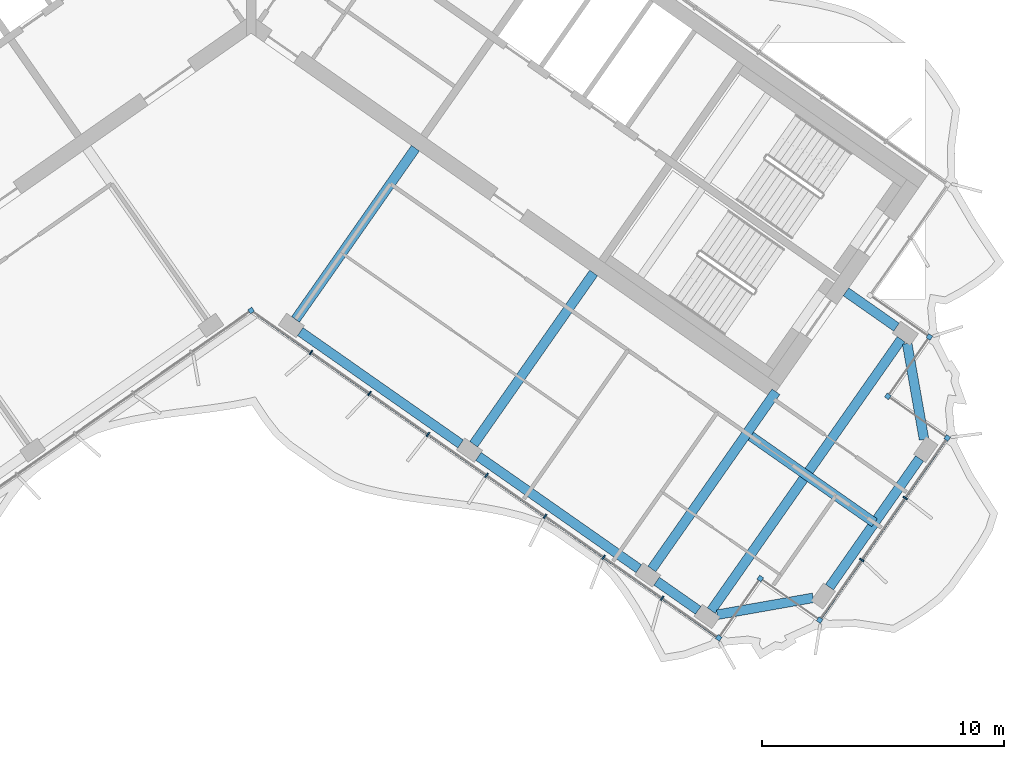
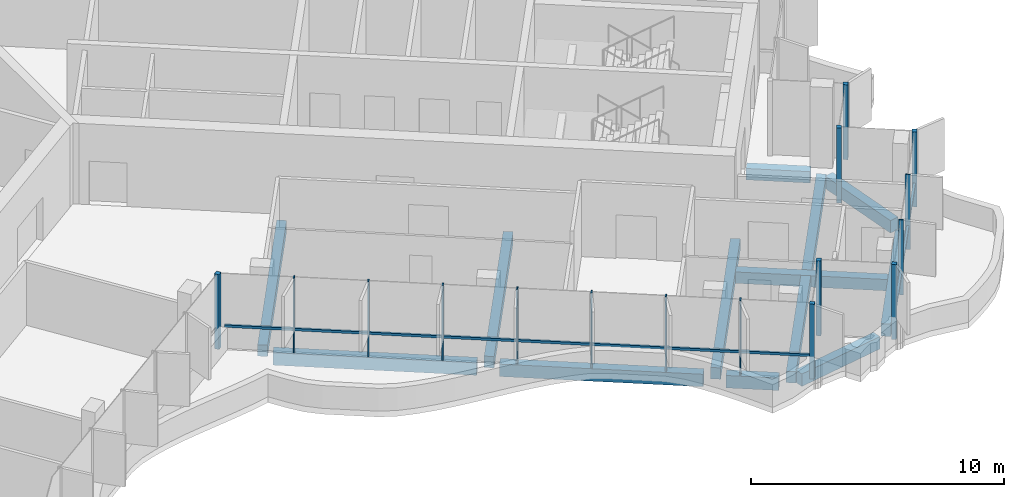
# One storey, part 4 of 17: 18 members, 12 beams, 1 element without a shape of its own.
"""IFC4 building model written with IfcOpenShell, lengths in metres."""

from ifc_helpers import new_model, si_unit, direction, frame, origin, origin_2d, place, context, subcontext, project, spatial, rectangle, extrude, material, material_profile, profile_set, type_object, element, aggregate, save


model = new_model("IFC4")

# Units and contexts
model_context = context("Model", 3, precision=1e-05, world=origin(), true_north=direction((0.0, 1.0)))
body_context = subcontext(model_context, "Body", "Model", "MODEL_VIEW")
ifc_project = project(units=[si_unit("LENGTHUNIT", "METRE"), si_unit("AREAUNIT", "SQUARE_METRE"), si_unit("VOLUMEUNIT", "CUBIC_METRE"), si_unit("PLANEANGLEUNIT", "RADIAN"), si_unit("MASSUNIT", "GRAM", prefix="KILO")], contexts=[model_context])

# Site, building, storey
site_placement = place(None, origin())
site = spatial("IfcSite", under=ifc_project, at=site_placement, CompositionType="ELEMENT")
building_placement = place(site_placement, origin())
building = spatial("IfcBuilding", under=site, at=building_placement, Name="Tel Ilan Convention Tower", CompositionType="ELEMENT")
storey_placement = place(building_placement, frame((0.0, 0.0, 291.699951171875)))
storey = spatial("IfcBuildingStorey", under=building, at=storey_placement, Name="L69", CompositionType="ELEMENT", Elevation=291.699951171875)

# Beams
ifc_material_1 = material(Name="Concrete C40/50", Category="concrete")
ifc_material_profile_1 = material_profile(ifc_material_1, rectangle(XDim=0.39990234375, YDim=0.550048828125, at=origin_2d()), Name="RC 400x550")
ifc_profile_set_1 = profile_set([ifc_material_profile_1], Name="Concrete C40/50")
beam_type_1 = type_object("IfcBeamType", Name="Beam RC 400x550 Concrete C40/50", PredefinedType="BEAM", material=ifc_profile_set_1)
beam_1_placement = place(storey_placement, frame((26.700927734375, -13.385986328125, -0.554931640625), z_axis=(-0.819119449707, 0.573622983424, 0.0), x_axis=(-0.573622983424, -0.819119449707, 0.0)))
element("IfcBeam", 1, at=beam_1_placement, inside=storey, type_object=beam_type_1, Name="L69 beam E-E-BC-core", PredefinedType="BEAM", context=body_context, shape_type="SweptSolid", body=[
    extrude(rectangle(XDim=0.39990234375, YDim=0.550048828125, at=origin_2d()), origin(), (0.0, 0.0, 1.0), 2.5498046875),
])
for number, where, z_axis, x_axis, name in (
    (2, (1.83740234375, -13.06689453125, -0.554931640625), (0.573574099654, 0.819153680457, 0.0), (-0.819153680457, 0.573574099654, 0.0), "L69 beam E-E-F1-core"),
    (3, (9.209716796875, -18.229248046875, -0.554931640625), (0.573574099654, 0.819153680457, 0.0), (-0.819153680457, 0.573574099654, 0.0), "L69 beam E-E-F2-core"),
):
    element("IfcBeam", number, at=place(storey_placement, frame(where, z_axis=z_axis, x_axis=x_axis)), inside=storey, type_object=beam_type_1, Name=name, PredefinedType="BEAM", context=body_context, shape_type="SweptSolid", body=[
        extrude(rectangle(XDim=0.39990234375, YDim=0.550048828125, at=origin_2d()), origin(), (0.0, 0.0, 1.0), 8.64990234375),
    ])
beam_2_placement = place(storey_placement, frame((16.58203125, -23.391357421875, -0.554931640625), z_axis=(0.573584999642, 0.819146048141, 0.0), x_axis=(-0.819146048141, 0.573584999642, 0.0)))
element("IfcBeam", 4, at=beam_2_placement, inside=storey, type_object=beam_type_1, Name="L69 beam E-E-F3-core", PredefinedType="BEAM", context=body_context, shape_type="SweptSolid", body=[
    extrude(rectangle(XDim=0.39990234375, YDim=0.550048828125, at=origin_2d()), origin(), (0.0, 0.0, 1.0), 8.949951171875),
])
beam_3_placement = place(storey_placement, frame((20.6748046875, -17.89501953125, -0.554931640625), z_axis=(0.819171356584, -0.573548854548, 0.0), x_axis=(0.573548854548, 0.819171356584, 0.0)))
element("IfcBeam", 5, at=beam_3_placement, inside=storey, type_object=beam_type_1, Name="L69 beam E-core-end", PredefinedType="BEAM", context=body_context, shape_type="SweptSolid", body=[
    extrude(rectangle(XDim=0.39990234375, YDim=0.550048828125, at=origin_2d()), origin(), (0.0, 0.0, 1.0), 6.25),
])
beam_4_placement = place(storey_placement, frame((19.03955078125, -25.112060546875, -0.554931640625), z_axis=(0.57357117602, 0.819155727587, 0.0), x_axis=(-0.819155727587, 0.57357117602, 0.0)))
element("IfcBeam", 6, at=beam_4_placement, inside=storey, type_object=beam_type_1, Name="L69 beam E-E-FC-E-BC", PredefinedType="BEAM", context=body_context, shape_type="SweptSolid", body=[
    extrude(rectangle(XDim=0.39990234375, YDim=0.550048828125, at=origin_2d()), origin(), (0.0, 0.0, 1.0), 13.699951171875),
])
ifc_material_2 = material(Name="Concrete C40/50", Category="concrete")
ifc_material_profile_2 = material_profile(ifc_material_2, rectangle(XDim=0.39990234375, YDim=0.60009765625, at=origin_2d()), Name="RC 400x600")
ifc_profile_set_2 = profile_set([ifc_material_profile_2], Name="Concrete C40/50")
beam_type_2 = type_object("IfcBeamType", Name="Beam RC 400x600 Concrete C40/50", PredefinedType="BEAM", material=ifc_profile_set_2)
beam_5_placement = place(storey_placement, frame((2.033935546875, -13.57080078125, -0.579833984375), z_axis=(0.81914553362, -0.573585734437, 0.0), x_axis=(0.573585734437, 0.81914553362, 0.0)))
element("IfcBeam", 7, at=beam_5_placement, inside=storey, type_object=beam_type_2, Name="L69 beam E-E-F1-E-F2", PredefinedType="BEAM", context=body_context, shape_type="SweptSolid", body=[
    extrude(rectangle(XDim=0.39990234375, YDim=0.60009765625, at=origin_2d()), origin(), (0.0, 0.0, 1.0), 8.099853515625),
])
beam_6_placement = place(storey_placement, frame((9.40625, -18.73291015625, -0.579833984375), z_axis=(0.819155449703, -0.573571572885, 0.0), x_axis=(0.573571572885, 0.819155449703, 0.0)))
element("IfcBeam", 8, at=beam_6_placement, inside=storey, type_object=beam_type_2, Name="L69 beam E-E-F2-E-F3", PredefinedType="BEAM", context=body_context, shape_type="SweptSolid", body=[
    extrude(rectangle(XDim=0.39990234375, YDim=0.60009765625, at=origin_2d()), origin(), (0.0, 0.0, 1.0), 8.10009765625),
])
beam_7_placement = place(storey_placement, frame((16.778564453125, -23.895263671875, -0.579833984375), z_axis=(0.819188222026, -0.573524765719, 0.0), x_axis=(0.573524765719, 0.819188222026, 0.0)))
element("IfcBeam", 9, at=beam_7_placement, inside=storey, type_object=beam_type_2, Name="L69 beam E-E-F3-E-FC", PredefinedType="BEAM", context=body_context, shape_type="SweptSolid", body=[
    extrude(rectangle(XDim=0.39990234375, YDim=0.60009765625, at=origin_2d()), origin(), (0.0, 0.0, 1.0), 2.099853515625),
])
beam_8_placement = place(storey_placement, frame((19.285400390625, -25.2841796875, -0.579833984375), z_axis=(0.984804894423, 0.173664388751, 0.0), x_axis=(-0.173664388751, 0.984804894423, 0.0)))
element("IfcBeam", 10, at=beam_8_placement, inside=storey, type_object=beam_type_2, Name="L69 beam E-E-FC-E-E1", PredefinedType="BEAM", context=body_context, shape_type="SweptSolid", body=[
    extrude(rectangle(XDim=0.39990234375, YDim=0.60009765625, at=origin_2d()), origin(), (0.0, 0.0, 1.0), 4.030517578125),
])
beam_9_placement = place(storey_placement, frame((23.930419921875, -24.14208984375, -0.579833984375), z_axis=(0.573563169494, 0.819161333682, 0.0), x_axis=(-0.819161333682, 0.573563169494, 0.0)))
element("IfcBeam", 11, at=beam_9_placement, inside=storey, type_object=beam_type_2, Name="L69 beam E-E-E1-E-E2", PredefinedType="BEAM", context=body_context, shape_type="SweptSolid", body=[
    extrude(rectangle(XDim=0.39990234375, YDim=0.60009765625, at=origin_2d()), origin(), (0.0, 0.0, 1.0), 6.500244140625),
])
beam_10_placement = place(storey_placement, frame((27.84326171875, -18.031005859375, -0.579833984375), z_axis=(-0.173664388751, 0.984804894423, 0.0), x_axis=(-0.984804894423, -0.173664388751, 0.0)))
element("IfcBeam", 12, at=beam_10_placement, inside=storey, type_object=beam_type_2, Name="L69 beam E-E-E2-E-BC", PredefinedType="BEAM", context=body_context, shape_type="SweptSolid", body=[
    extrude(rectangle(XDim=0.39990234375, YDim=0.60009765625, at=origin_2d()), origin(), (0.0, 0.0, 1.0), 4.030517578125),
])

# Curtain wall, members
ifc_material_3 = material(Name="Aluminium, bronze anodised", Category="aluminium")
curtain_wall_type = type_object("IfcCurtainWallType", Name="CW5 STICK CURTAIN WALL, UPPER OFFICE LOW-IRON TINTED GLASS", PredefinedType="NOTDEFINED", material=ifc_material_3)
curtain_wall_placement = place(storey_placement, origin())
curtain_wall = element("IfcCurtainWall", 13, at=curtain_wall_placement, inside=storey, type_object=curtain_wall_type, Name="Curtain wall CW5-52.02", PredefinedType="NOTDEFINED")
ifc_material_4 = material(Name="Aluminium, bronze anodised", Category="aluminium")
ifc_material_profile_3 = material_profile(ifc_material_4, rectangle(XDim=0.199951171875, YDim=0.199951171875, at=origin_2d()), Name="CW CORNER MULLION 200x200")
ifc_profile_set_3 = profile_set([ifc_material_profile_3], Name="Aluminium, bronze anodised")
member_type_1 = type_object("IfcMemberType", Name="CW CORNER MULLION 200x200", PredefinedType="MULLION", material=ifc_profile_set_3)
member_1_placement = place(storey_placement, frame((0.0, -12.696044921875, 0.0), z_axis=(0.0, 0.0, 1.0), x_axis=(0.819152044289, 0.573576436351, 0.0)))
member_1 = element("IfcMember", 14, at=member_1_placement, type_object=member_type_1, Name="Corner mullion", PredefinedType="MULLION", context=body_context, shape_type="SweptSolid", body=[
    extrude(rectangle(XDim=0.199951171875, YDim=0.199951171875, at=origin_2d()), origin(), (0.0, 0.0, 1.0), 3.6201171875),
])
member_2_placement = place(storey_placement, frame((19.3466796875, -26.24267578125, 0.0), z_axis=(0.0, 0.0, 1.0), x_axis=(0.819152044289, -0.573576436351, 0.0)))
member_2 = element("IfcMember", 15, at=member_2_placement, type_object=member_type_1, Name="Corner mullion", PredefinedType="MULLION", context=body_context, shape_type="SweptSolid", body=[
    extrude(rectangle(XDim=0.199951171875, YDim=0.199951171875, at=origin_2d()), origin(), (0.0, 0.0, 1.0), 3.6201171875),
])
member_3_placement = place(storey_placement, frame((21.0673828125, -23.78515625, 0.0), z_axis=(0.0, 0.0, 1.0), x_axis=(0.573576436351, 0.819152044289, 0.0)))
member_3 = element("IfcMember", 16, at=member_3_placement, type_object=member_type_1, Name="Corner mullion", PredefinedType="MULLION", context=body_context, shape_type="SweptSolid", body=[
    extrude(rectangle(XDim=0.199951171875, YDim=0.199951171875, at=origin_2d()), origin(), (0.0, 0.0, 1.0), 3.6201171875),
])
member_4_placement = place(storey_placement, frame((23.52490234375, -25.505859375, 0.0), z_axis=(0.0, 0.0, 1.0), x_axis=(0.819152044289, -0.573576436351, 0.0)))
member_4 = element("IfcMember", 17, at=member_4_placement, type_object=member_type_1, Name="Corner mullion", PredefinedType="MULLION", context=body_context, shape_type="SweptSolid", body=[
    extrude(rectangle(XDim=0.199951171875, YDim=0.199951171875, at=origin_2d()), origin(), (0.0, 0.0, 1.0), 3.6201171875),
])
member_5_placement = place(storey_placement, frame((28.8017578125, -17.9697265625, 0.0), z_axis=(0.0, 0.0, 1.0), x_axis=(0.573576436351, 0.819152044289, 0.0)))
member_5 = element("IfcMember", 18, at=member_5_placement, type_object=member_type_1, Name="Corner mullion", PredefinedType="MULLION", context=body_context, shape_type="SweptSolid", body=[
    extrude(rectangle(XDim=0.199951171875, YDim=0.199951171875, at=origin_2d()), origin(), (0.0, 0.0, 1.0), 3.6201171875),
])
member_6_placement = place(storey_placement, frame((26.34423828125, -16.2490234375, 0.0), z_axis=(0.0, 0.0, 1.0), x_axis=(-0.819152044289, 0.573576436351, 0.0)))
member_6 = element("IfcMember", 19, at=member_6_placement, type_object=member_type_1, Name="Corner mullion", PredefinedType="MULLION", context=body_context, shape_type="SweptSolid", body=[
    extrude(rectangle(XDim=0.199951171875, YDim=0.199951171875, at=origin_2d()), origin(), (0.0, 0.0, 1.0), 3.6201171875),
])
member_7_placement = place(storey_placement, frame((28.06494140625, -13.79150390625, 0.0), z_axis=(0.0, 0.0, 1.0), x_axis=(0.573576436351, 0.819152044289, 0.0)))
member_7 = element("IfcMember", 20, at=member_7_placement, type_object=member_type_1, Name="Corner mullion", PredefinedType="MULLION", context=body_context, shape_type="SweptSolid", body=[
    extrude(rectangle(XDim=0.199951171875, YDim=0.199951171875, at=origin_2d()), origin(), (0.0, 0.0, 1.0), 3.6201171875),
])
ifc_material_5 = material(Name="Aluminium, bronze anodised", Category="aluminium")
ifc_material_profile_4 = material_profile(ifc_material_5, rectangle(XDim=0.06005859375, YDim=0.199951171875, at=origin_2d()), Name="CW MULLION 60x200")
ifc_profile_set_4 = profile_set([ifc_material_profile_4], Name="Aluminium, bronze anodised")
member_type_2 = type_object("IfcMemberType", Name="CW MULLION 60x200", PredefinedType="MULLION", material=ifc_profile_set_4)
member_8_placement = place(storey_placement, frame((2.478759765625, -14.431640625, 0.0), z_axis=(0.0, 0.0, 1.0), x_axis=(0.819152044289, -0.573576436351, 0.0)))
member_8 = element("IfcMember", 21, at=member_8_placement, type_object=member_type_2, Name="Mullion", PredefinedType="MULLION", context=body_context, shape_type="SweptSolid", body=[
    extrude(rectangle(XDim=0.06005859375, YDim=0.199951171875, at=origin_2d()), origin(), (0.0, 0.0, 1.0), 3.6201171875),
])
member_9_placement = place(storey_placement, frame((4.900146484375, -16.127197265625, 0.0), z_axis=(0.0, 0.0, 1.0), x_axis=(0.819152044289, -0.573576436351, 0.0)))
member_9 = element("IfcMember", 22, at=member_9_placement, type_object=member_type_2, Name="Mullion", PredefinedType="MULLION", context=body_context, shape_type="SweptSolid", body=[
    extrude(rectangle(XDim=0.06005859375, YDim=0.199951171875, at=origin_2d()), origin(), (0.0, 0.0, 1.0), 3.6201171875),
])
member_10_placement = place(storey_placement, frame((7.321533203125, -17.82275390625, 0.0), z_axis=(0.0, 0.0, 1.0), x_axis=(0.819152044289, -0.573576436351, 0.0)))
member_10 = element("IfcMember", 23, at=member_10_placement, type_object=member_type_2, Name="Mullion", PredefinedType="MULLION", context=body_context, shape_type="SweptSolid", body=[
    extrude(rectangle(XDim=0.06005859375, YDim=0.199951171875, at=origin_2d()), origin(), (0.0, 0.0, 1.0), 3.6201171875),
])
member_11_placement = place(storey_placement, frame((9.742919921875, -19.51806640625, 0.0), z_axis=(0.0, 0.0, 1.0), x_axis=(0.819152044289, -0.573576436351, 0.0)))
member_11 = element("IfcMember", 24, at=member_11_placement, type_object=member_type_2, Name="Mullion", PredefinedType="MULLION", context=body_context, shape_type="SweptSolid", body=[
    extrude(rectangle(XDim=0.06005859375, YDim=0.199951171875, at=origin_2d()), origin(), (0.0, 0.0, 1.0), 3.6201171875),
])
member_12_placement = place(storey_placement, frame((12.164306640625, -21.213623046875, 0.0), z_axis=(0.0, 0.0, 1.0), x_axis=(0.819152044289, -0.573576436351, 0.0)))
member_12 = element("IfcMember", 25, at=member_12_placement, type_object=member_type_2, Name="Mullion", PredefinedType="MULLION", context=body_context, shape_type="SweptSolid", body=[
    extrude(rectangle(XDim=0.06005859375, YDim=0.199951171875, at=origin_2d()), origin(), (0.0, 0.0, 1.0), 3.6201171875),
])
member_13_placement = place(storey_placement, frame((14.585693359375, -22.9091796875, 0.0), z_axis=(0.0, 0.0, 1.0), x_axis=(0.819152044289, -0.573576436351, 0.0)))
member_13 = element("IfcMember", 26, at=member_13_placement, type_object=member_type_2, Name="Mullion", PredefinedType="MULLION", context=body_context, shape_type="SweptSolid", body=[
    extrude(rectangle(XDim=0.06005859375, YDim=0.199951171875, at=origin_2d()), origin(), (0.0, 0.0, 1.0), 3.6201171875),
])
member_14_placement = place(storey_placement, frame((17.007080078125, -24.6044921875, 0.0), z_axis=(0.0, 0.0, 1.0), x_axis=(0.819152044289, -0.573576436351, 0.0)))
member_14 = element("IfcMember", 27, at=member_14_placement, type_object=member_type_2, Name="Mullion", PredefinedType="MULLION", context=body_context, shape_type="SweptSolid", body=[
    extrude(rectangle(XDim=0.06005859375, YDim=0.199951171875, at=origin_2d()), origin(), (0.0, 0.0, 1.0), 3.6201171875),
])
member_15_placement = place(storey_placement, frame((25.2646484375, -23.021240234375, 0.0), z_axis=(0.0, 0.0, 1.0), x_axis=(0.573576436351, 0.819152044289, 0.0)))
member_15 = element("IfcMember", 28, at=member_15_placement, type_object=member_type_2, Name="Mullion", PredefinedType="MULLION", context=body_context, shape_type="SweptSolid", body=[
    extrude(rectangle(XDim=0.06005859375, YDim=0.199951171875, at=origin_2d()), origin(), (0.0, 0.0, 1.0), 3.6201171875),
])
member_16_placement = place(storey_placement, frame((27.061767578125, -20.45458984375, 0.0), z_axis=(0.0, 0.0, 1.0), x_axis=(0.573576436351, 0.819152044289, 0.0)))
member_16 = element("IfcMember", 29, at=member_16_placement, type_object=member_type_2, Name="Mullion", PredefinedType="MULLION", context=body_context, shape_type="SweptSolid", body=[
    extrude(rectangle(XDim=0.06005859375, YDim=0.199951171875, at=origin_2d()), origin(), (0.0, 0.0, 1.0), 3.6201171875),
])
ifc_material_6 = material(Name="Aluminium, bronze anodised", Category="aluminium")
ifc_material_profile_5 = material_profile(ifc_material_6, rectangle(XDim=0.10009765625, YDim=0.1201171875, at=origin_2d()), Name="CW TRANSOM 100x120")
ifc_profile_set_5 = profile_set([ifc_material_profile_5], Name="Aluminium, bronze anodised")
member_type_3 = type_object("IfcMemberType", Name="CW TRANSOM 100x120", PredefinedType="USERDEFINED", material=ifc_profile_set_5)
member_17_placement = place(storey_placement, frame((0.22119140625, -12.850830078125, 1.10009765625), z_axis=(0.81915001336, -0.573579336808, 0.0), x_axis=(0.573579336808, 0.81915001336, 0.0)))
member_17 = element("IfcMember", 30, at=member_17_placement, type_object=member_type_3, Name="Transom", ObjectType="TRANSOM", PredefinedType="USERDEFINED", context=body_context, shape_type="SweptSolid", body=[
    extrude(rectangle(XDim=0.10009765625, YDim=0.1201171875, at=origin_2d()), origin(), (0.0, 0.0, 1.0), 23.247802734375),
])
member_18_placement = place(storey_placement, frame((23.58203125, -25.424072265625, 1.10009765625), z_axis=(0.573591598124, 0.819141427692, 0.0), x_axis=(-0.819141427692, 0.573591598124, 0.0)))
member_18 = element("IfcMember", 31, at=member_18_placement, type_object=member_type_3, Name="Transom", ObjectType="TRANSOM", PredefinedType="USERDEFINED", context=body_context, shape_type="SweptSolid", body=[
    extrude(rectangle(XDim=0.10009765625, YDim=0.1201171875, at=origin_2d()), origin(), (0.0, 0.0, 1.0), 9.0),
])
aggregate(curtain_wall, [member_1, member_8, member_9, member_10, member_11, member_12, member_13, member_14, member_2, member_17, member_3, member_4, member_15, member_16, member_5, member_18, member_6, member_7])

save(model, "model.ifc")
